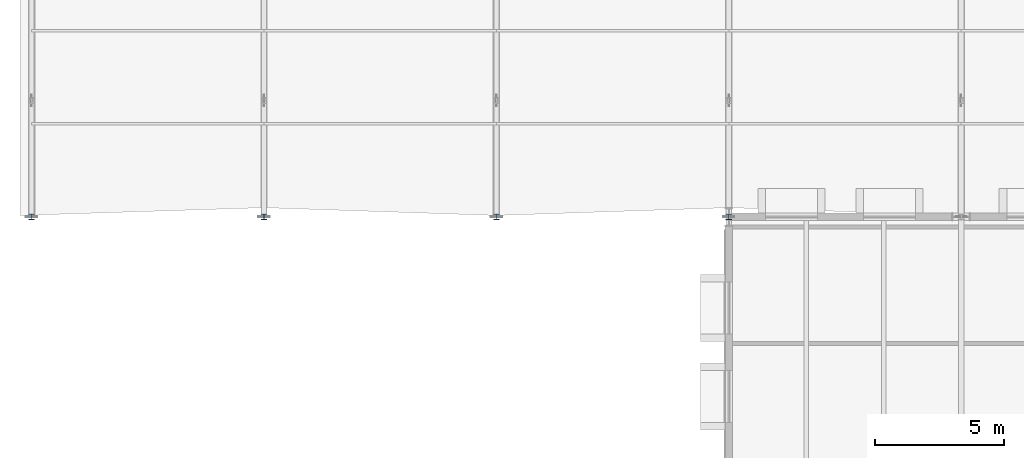
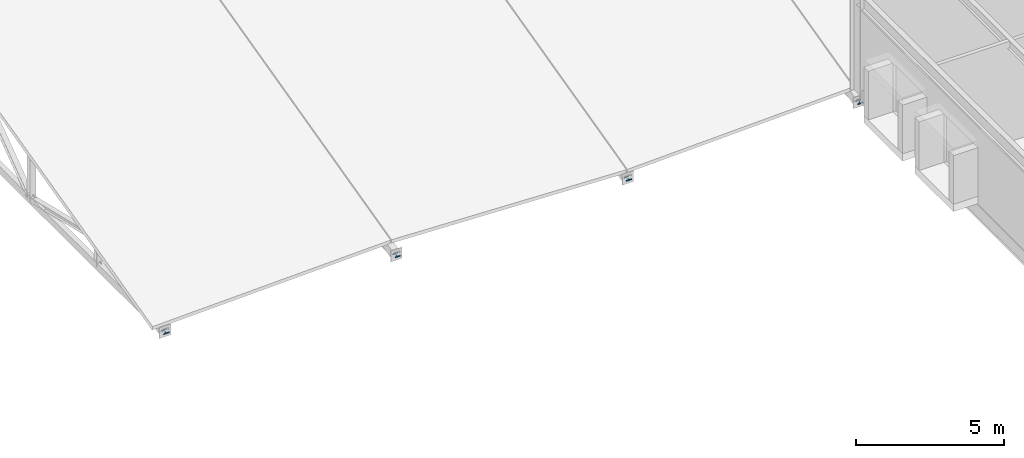
# One storey, part 39 of 67: 4 members.
"""IFC4 building model written with IfcOpenShell, lengths in metres."""

from ifc_helpers import new_model, si_unit, direction, frame, origin, origin_2d, place, context, subcontext, project, spatial, i_section, extrude, material, material_profile, profile_set, type_object, element, save


model = new_model("IFC4")

# Units and contexts
model_context = context("Model", 3, precision=1e-05, world=origin(), true_north=direction((0.0, 1.0)))
body_context = subcontext(model_context, "Body", "Model", "MODEL_VIEW")
ifc_project = project(units=[si_unit("LENGTHUNIT", "METRE"), si_unit("AREAUNIT", "SQUARE_METRE"), si_unit("VOLUMEUNIT", "CUBIC_METRE"), si_unit("PLANEANGLEUNIT", "RADIAN"), si_unit("MASSUNIT", "GRAM", prefix="KILO")], contexts=[model_context])

# Site, building, storey
site_placement = place(None, origin())
site = spatial("IfcSite", under=ifc_project, at=site_placement, CompositionType="ELEMENT")
building_placement = place(site_placement, origin())
building = spatial("IfcBuilding", under=site, at=building_placement, Name="Montelvaro Courts of Justice", CompositionType="ELEMENT")
storey_placement = place(building_placement, frame((0.0, 0.0, 18.89990234375)))
storey = spatial("IfcBuildingStorey", under=building, at=storey_placement, Name="L04", CompositionType="ELEMENT", Elevation=18.89990234375)

# Members
ifc_material = material(Name="Steel S355", Category="steel")
ifc_material_profile = material_profile(ifc_material, i_section(OverallWidth=0.219970703125, OverallDepth=0.2099609375, WebThickness=0.007080078125, FlangeThickness=0.010986328125, at=origin_2d()), Name="HEA 220")
ifc_profile_set = profile_set([ifc_material_profile], Name="Steel S355")
member_type = type_object("IfcMemberType", Name="Mem_HEA220_Post", PredefinedType="POST", material=ifc_profile_set)
for number, where, z_axis, x_axis, name in (
    (1, (18.0, 24.0, -0.2998046875), (0.0, 0.0, -1.0), (1.0, 0.0, 0.0), "Roof Truss Post MP-03 ROOF-V3-VTR01-V0"),
    (2, (27.0, 24.0, -0.2998046875), (0.0, 0.0, -1.0), (1.0, 0.0, 0.0), "Roof Truss Post MP-03 ROOF-V3-VTR02-V0"),
    (3, (36.0, 24.0, -0.2998046875), (0.0, 0.0, -1.0), (1.0, 0.0, 0.0), "Roof Truss Post MP-03 ROOF-V3-VTR03-V0"),
    (4, (45.0, 24.0, -0.2998046875), (0.0, 0.0, -1.0), (1.0, 0.0, 0.0), "Roof Truss Post MP-03 ROOF-V3-VTR04-V0"),
):
    element("IfcMember", number, at=place(storey_placement, frame(where, z_axis=z_axis, x_axis=x_axis)), inside=storey, type_object=member_type, Name=name, PredefinedType="POST", context=body_context, shape_type="SweptSolid", body=[
        extrude(i_section(OverallWidth=0.219970703125, OverallDepth=0.2099609375, WebThickness=0.007080078125, FlangeThickness=0.010986328125, at=origin_2d()), origin(), (0.0, 0.0, 1.0), 0.050048828125),
    ])

save(model, "model.ifc")
